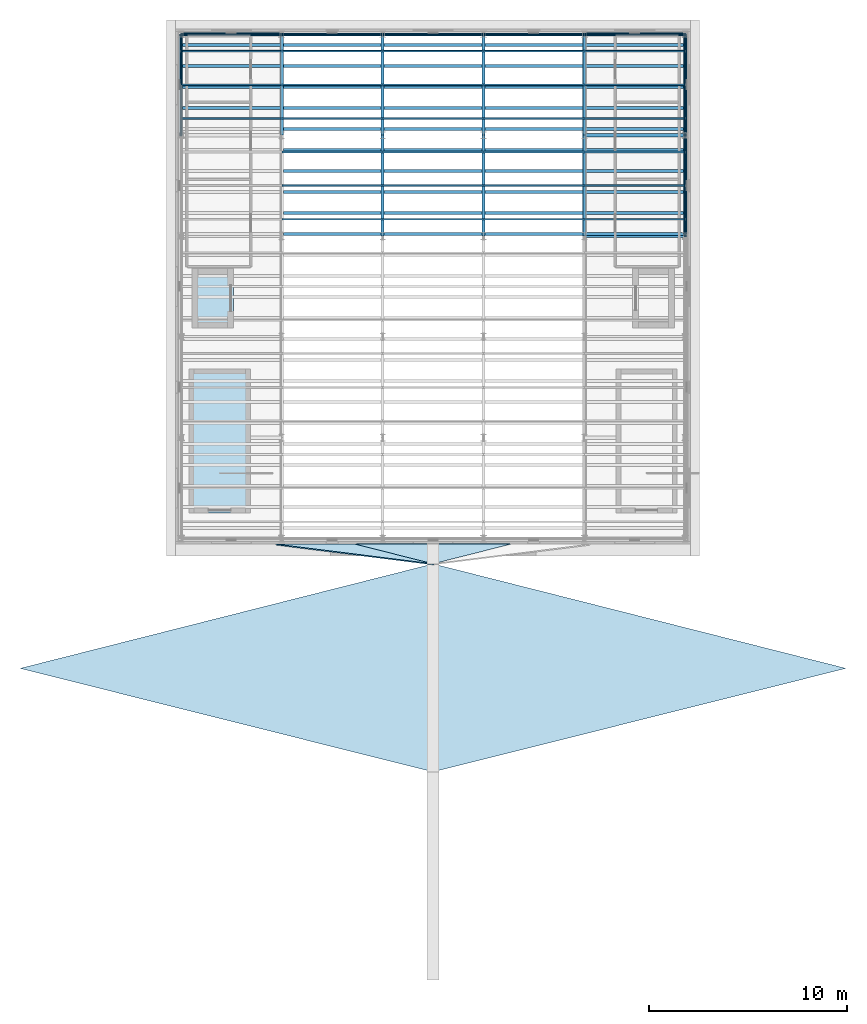
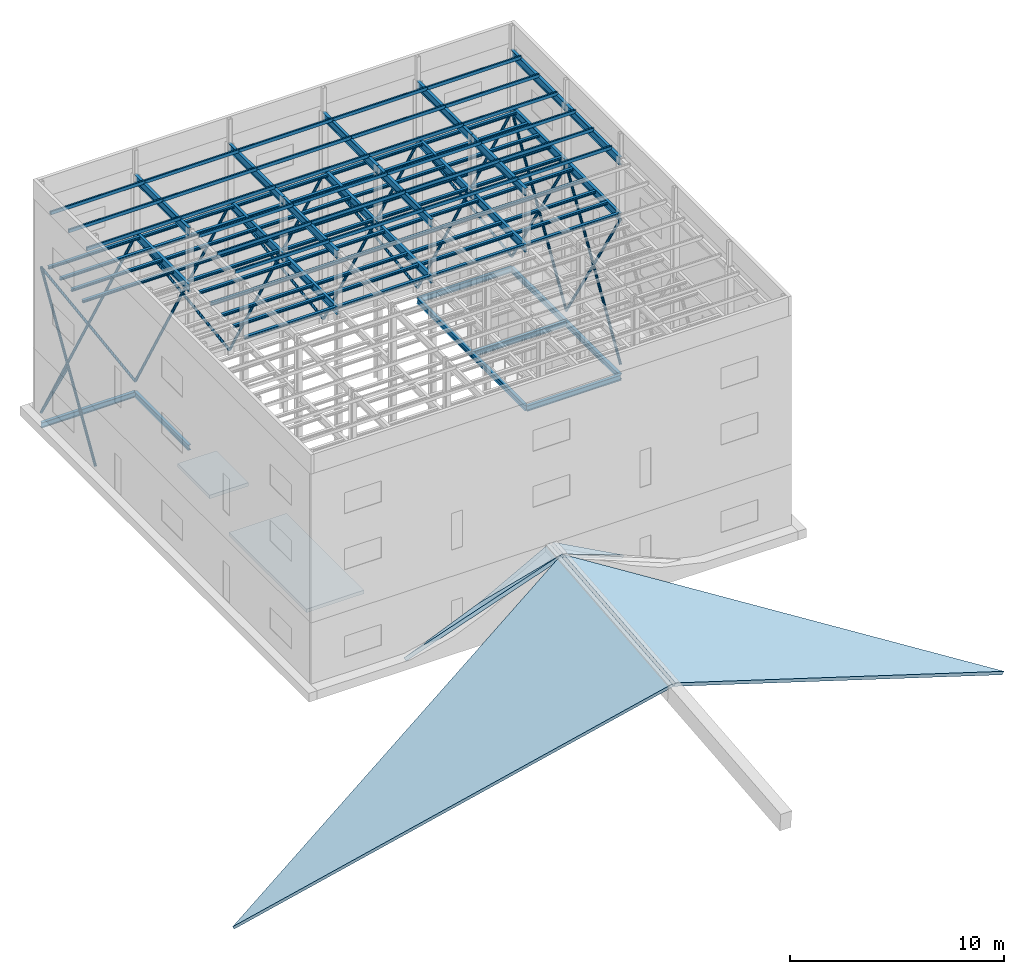
# One storey, part 5 of 22: 71 beams, 50 members, 7 slabs.
"""IFC4 building model written with IfcOpenShell, lengths in metres."""

from ifc_helpers import new_model, si_unit, direction, frame, origin, origin_2d, place, context, subcontext, project, spatial, polyline, hollow_rectangle, hollow_circle, i_section, outline, extrude, material, layer, layer_set, material_profile, profile_set, type_object, element, save


model = new_model("IFC4")

# Units and contexts
model_context = context("Model", 3, precision=1e-05, world=origin(), true_north=direction((0.0, 1.0)))
body_context = subcontext(model_context, "Body", "Model", "MODEL_VIEW")
ifc_project = project(units=[si_unit("LENGTHUNIT", "METRE"), si_unit("AREAUNIT", "SQUARE_METRE"), si_unit("VOLUMEUNIT", "CUBIC_METRE"), si_unit("PLANEANGLEUNIT", "RADIAN"), si_unit("MASSUNIT", "GRAM", prefix="KILO")], contexts=[model_context])

# Site, building, storey
site_placement = place(None, origin())
site = spatial("IfcSite", under=ifc_project, at=site_placement, CompositionType="ELEMENT")
building_placement = place(site_placement, origin())
building = spatial("IfcBuilding", under=site, at=building_placement, Name="Tide Square Theatres", CompositionType="ELEMENT")
storey_placement = place(building_placement, frame((0.0, 0.0, 24.0)))
storey = spatial("IfcBuildingStorey", under=building, at=storey_placement, Name="L05", CompositionType="ELEMENT", Elevation=24.0)

# Beams
ifc_material_1 = material(Name="Steel ASTM A572 Grade 50", Category="steel")
ifc_material_profile_1 = material_profile(ifc_material_1, i_section(OverallWidth=0.1650390625, OverallDepth=0.31005859375, WebThickness=0.005859375, FlangeThickness=0.009765625, FilletRadius=0.010009765625, at=origin_2d()))
ifc_profile_set_1 = profile_set([ifc_material_profile_1], Name="Steel ASTM A572 Grade 50")
beam_type_1 = type_object("IfcBeamType", Name="Steel beam W 310 x 38.7", PredefinedType="BEAM", material=ifc_profile_set_1)
for number, where, z_axis, x_axis, name in (
    (1, (76.365478515625, 76.634521484375, -0.35498046875), (0.0, 1.0, 0.0), (-1.0, 0.0, 0.0), "Fly gallery beam"),
    (2, (71.27587890625, 81.72412109375, -0.35498046875), (1.0, 0.0, 0.0), (0.0, 1.0, 0.0), "Fly gallery cross beam"),
    (3, (91.634521484375, 71.544921875, -0.35498046875), (0.0, 1.0, 0.0), (-1.0, 0.0, 0.0), "Fly gallery beam"),
    (4, (91.634521484375, 76.634521484375, -0.35498046875), (0.0, 1.0, 0.0), (-1.0, 0.0, 0.0), "Fly gallery beam"),
    (5, (96.72412109375, 71.544921875, -0.35498046875), (0.0, 1.0, 0.0), (-1.0, 0.0, 0.0), "Fly gallery beam"),
    (6, (96.72412109375, 76.634521484375, -0.35498046875), (0.0, 1.0, 0.0), (-1.0, 0.0, 0.0), "Fly gallery beam"),
    (7, (91.634521484375, 71.544921875, -0.35498046875), (1.0, 0.0, 0.0), (0.0, 1.0, 0.0), "Fly gallery cross beam"),
    (8, (91.634521484375, 76.634521484375, -0.35498046875), (1.0, 0.0, 0.0), (0.0, 1.0, 0.0), "Fly gallery cross beam"),
    (9, (91.634521484375, 81.72412109375, -0.35498046875), (1.0, 0.0, 0.0), (0.0, 1.0, 0.0), "Fly gallery cross beam"),
):
    element("IfcBeam", number, at=place(storey_placement, frame(where, z_axis=z_axis, x_axis=x_axis)), inside=storey, type_object=beam_type_1, Name=name, PredefinedType="BEAM", context=body_context, shape_type="SweptSolid", body=[
        extrude(i_section(OverallWidth=0.1650390625, OverallDepth=0.31005859375, WebThickness=0.005859375, FlangeThickness=0.009765625, FilletRadius=0.010009765625, at=origin_2d()), origin(), (0.0, 0.0, 1.0), 5.089599609375),
    ])
ifc_material_2 = material(Name="Steel ASTM A572 Grade 50", Category="steel")
ifc_material_profile_2 = material_profile(ifc_material_2, i_section(OverallWidth=0.152099609375, OverallDepth=0.449951171875, WebThickness=0.007568359375, FlangeThickness=0.0107421875, FilletRadius=0.011962890625, at=origin_2d()))
ifc_profile_set_2 = profile_set([ifc_material_profile_2], Name="Steel ASTM A572 Grade 50")
beam_type_2 = type_object("IfcBeamType", Name="Steel beam W 460 x 52.0", PredefinedType="BEAM", material=ifc_profile_set_2)
for number, where, z_axis, x_axis, name in (
    (10, (76.365478515625, 76.634521484375, 8.77490234375), (0.0, 1.0, 0.0), (-1.0, 0.0, 0.0), "Gridiron beam"),
    (11, (81.455078125, 71.544921875, 8.77490234375), (0.0, 1.0, 0.0), (-1.0, 0.0, 0.0), "Gridiron beam"),
    (12, (81.455078125, 76.634521484375, 8.77490234375), (0.0, 1.0, 0.0), (-1.0, 0.0, 0.0), "Gridiron beam"),
    (13, (86.544921875, 71.544921875, 8.77490234375), (0.0, 1.0, 0.0), (-1.0, 0.0, 0.0), "Gridiron beam"),
    (14, (86.544921875, 76.634521484375, 8.77490234375), (0.0, 1.0, 0.0), (-1.0, 0.0, 0.0), "Gridiron beam"),
    (15, (91.634521484375, 71.544921875, 8.77490234375), (0.0, 1.0, 0.0), (-1.0, 0.0, 0.0), "Gridiron beam"),
    (16, (91.634521484375, 76.634521484375, 8.77490234375), (0.0, 1.0, 0.0), (-1.0, 0.0, 0.0), "Gridiron beam"),
    (17, (96.72412109375, 71.544921875, 8.77490234375), (0.0, 1.0, 0.0), (-1.0, 0.0, 0.0), "Gridiron beam"),
    (18, (96.72412109375, 76.634521484375, 8.77490234375), (0.0, 1.0, 0.0), (-1.0, 0.0, 0.0), "Gridiron beam"),
    (19, (76.365478515625, 76.634521484375, 11.985107421875), (0.0, 1.0, 0.0), (-1.0, 0.0, 0.0), "Tower roof beam"),
    (20, (81.455078125, 71.544921875, 11.985107421875), (0.0, 1.0, 0.0), (-1.0, 0.0, 0.0), "Tower roof beam"),
    (21, (81.455078125, 76.634521484375, 11.985107421875), (0.0, 1.0, 0.0), (-1.0, 0.0, 0.0), "Tower roof beam"),
    (22, (86.544921875, 71.544921875, 11.985107421875), (0.0, 1.0, 0.0), (-1.0, 0.0, 0.0), "Tower roof beam"),
    (23, (86.544921875, 76.634521484375, 11.985107421875), (0.0, 1.0, 0.0), (-1.0, 0.0, 0.0), "Tower roof beam"),
    (24, (91.634521484375, 71.544921875, 11.985107421875), (0.0, 1.0, 0.0), (-1.0, 0.0, 0.0), "Tower roof beam"),
    (25, (91.634521484375, 76.634521484375, 11.985107421875), (0.0, 1.0, 0.0), (-1.0, 0.0, 0.0), "Tower roof beam"),
    (26, (96.72412109375, 71.544921875, 11.985107421875), (0.0, 1.0, 0.0), (-1.0, 0.0, 0.0), "Tower roof beam"),
    (27, (96.72412109375, 76.634521484375, 11.985107421875), (0.0, 1.0, 0.0), (-1.0, 0.0, 0.0), "Tower roof beam"),
):
    element("IfcBeam", number, at=place(storey_placement, frame(where, z_axis=z_axis, x_axis=x_axis)), inside=storey, type_object=beam_type_2, Name=name, PredefinedType="BEAM", context=body_context, shape_type="SweptSolid", body=[
        extrude(i_section(OverallWidth=0.152099609375, OverallDepth=0.449951171875, WebThickness=0.007568359375, FlangeThickness=0.0107421875, FilletRadius=0.011962890625, at=origin_2d()), origin(), (0.0, 0.0, 1.0), 5.089599609375),
    ])

# Members
ifc_material_3 = material(Name="Steel ASTM A500 Grade C", Category="steel")
ifc_material_profile_3 = material_profile(ifc_material_3, hollow_circle(Radius=0.070556640625, WallThickness=0.00634765625, at=origin_2d()))
ifc_profile_set_3 = profile_set([ifc_material_profile_3], Name="Steel ASTM A500 Grade C")
member_type_1 = type_object("IfcMemberType", Name="Steel brace CHS 141.3 x 6.4", PredefinedType="BRACE", material=ifc_profile_set_3)
member_1_placement = place(storey_placement, frame((71.27587890625, 81.72412109375, 0.35009765625), z_axis=(0.522757852617, 0.0, 0.852481218284), x_axis=(0.0, 1.0, 0.0)))
element("IfcMember", 28, at=member_1_placement, inside=storey, type_object=member_type_1, Name="Fly tower brace", PredefinedType="BRACE", context=body_context, shape_type="SweptSolid", body=[
    extrude(hollow_circle(Radius=0.070556640625, WallThickness=0.00634765625, at=origin_2d()), origin(), (0.0, 0.0, 1.0), 9.736083984375),
])
member_2_placement = place(storey_placement, frame((76.365478515625, 81.72412109375, 0.35009765625), z_axis=(-0.522724280464, 0.0, 0.852501804463), x_axis=(0.0, -1.0, 0.0)))
element("IfcMember", 29, at=member_2_placement, inside=storey, type_object=member_type_1, Name="Fly tower brace", PredefinedType="BRACE", context=body_context, shape_type="SweptSolid", body=[
    extrude(hollow_circle(Radius=0.070556640625, WallThickness=0.00634765625, at=origin_2d()), origin(), (0.0, 0.0, 1.0), 4.763916015625),
])
member_3_placement = place(storey_placement, frame((73.766357421875, 81.72412109375, 4.588623046875), z_axis=(-0.522761523551, 0.0, 0.852478967186), x_axis=(0.0, -1.0, 0.0)))
element("IfcMember", 30, at=member_3_placement, inside=storey, type_object=member_type_1, Name="Fly tower brace", PredefinedType="BRACE", context=body_context, shape_type="SweptSolid", body=[
    extrude(hollow_circle(Radius=0.070556640625, WallThickness=0.00634765625, at=origin_2d()), origin(), (0.0, 0.0, 1.0), 4.76416015625),
])
member_4_placement = place(storey_placement, frame((76.365478515625, 81.72412109375, 0.35009765625), z_axis=(0.522757852617, 0.0, 0.852481218284), x_axis=(0.0, 1.0, 0.0)))
element("IfcMember", 31, at=member_4_placement, inside=storey, type_object=member_type_1, Name="Fly tower brace", PredefinedType="BRACE", context=body_context, shape_type="SweptSolid", body=[
    extrude(hollow_circle(Radius=0.070556640625, WallThickness=0.00634765625, at=origin_2d()), origin(), (0.0, 0.0, 1.0), 9.736083984375),
])
member_5_placement = place(storey_placement, frame((81.455078125, 81.72412109375, 0.35009765625), z_axis=(-0.522724280464, 0.0, 0.852501804463), x_axis=(0.0, -1.0, 0.0)))
element("IfcMember", 32, at=member_5_placement, inside=storey, type_object=member_type_1, Name="Fly tower brace", PredefinedType="BRACE", context=body_context, shape_type="SweptSolid", body=[
    extrude(hollow_circle(Radius=0.070556640625, WallThickness=0.00634765625, at=origin_2d()), origin(), (0.0, 0.0, 1.0), 4.763916015625),
])
member_6_placement = place(storey_placement, frame((78.85595703125, 81.72412109375, 4.588623046875), z_axis=(-0.522761523551, 0.0, 0.852478967186), x_axis=(0.0, -1.0, 0.0)))
element("IfcMember", 33, at=member_6_placement, inside=storey, type_object=member_type_1, Name="Fly tower brace", PredefinedType="BRACE", context=body_context, shape_type="SweptSolid", body=[
    extrude(hollow_circle(Radius=0.070556640625, WallThickness=0.00634765625, at=origin_2d()), origin(), (0.0, 0.0, 1.0), 4.76416015625),
])
member_7_placement = place(storey_placement, frame((81.455078125, 81.72412109375, 0.35009765625), z_axis=(0.522776075542, 0.0, 0.852470043368), x_axis=(0.0, 1.0, 0.0)))
element("IfcMember", 34, at=member_7_placement, inside=storey, type_object=member_type_1, Name="Fly tower brace", PredefinedType="BRACE", context=body_context, shape_type="SweptSolid", body=[
    extrude(hollow_circle(Radius=0.070556640625, WallThickness=0.00634765625, at=origin_2d()), origin(), (0.0, 0.0, 1.0), 9.736083984375),
])
for number, where, z_axis, x_axis, name in (
    (35, (86.544921875, 81.72412109375, 0.35009765625), (-0.522761523551, 0.0, 0.852478967186), (0.0, -1.0, 0.0), "Fly tower brace"),
    (36, (83.945556640625, 81.72412109375, 4.588623046875), (-0.522761523551, 0.0, 0.852478967186), (0.0, -1.0, 0.0), "Fly tower brace"),
):
    element("IfcMember", number, at=place(storey_placement, frame(where, z_axis=z_axis, x_axis=x_axis)), inside=storey, type_object=member_type_1, Name=name, PredefinedType="BRACE", context=body_context, shape_type="SweptSolid", body=[
        extrude(hollow_circle(Radius=0.070556640625, WallThickness=0.00634765625, at=origin_2d()), origin(), (0.0, 0.0, 1.0), 4.76416015625),
    ])
member_8_placement = place(storey_placement, frame((86.544921875, 81.72412109375, 0.35009765625), z_axis=(0.522757852617, 0.0, 0.852481218284), x_axis=(0.0, 1.0, 0.0)))
element("IfcMember", 37, at=member_8_placement, inside=storey, type_object=member_type_1, Name="Fly tower brace", PredefinedType="BRACE", context=body_context, shape_type="SweptSolid", body=[
    extrude(hollow_circle(Radius=0.070556640625, WallThickness=0.00634765625, at=origin_2d()), origin(), (0.0, 0.0, 1.0), 9.736083984375),
])
member_9_placement = place(storey_placement, frame((91.634521484375, 81.72412109375, 0.35009765625), z_axis=(-0.522761523551, 0.0, 0.852478967186), x_axis=(0.0, -1.0, 0.0)))
element("IfcMember", 38, at=member_9_placement, inside=storey, type_object=member_type_1, Name="Fly tower brace", PredefinedType="BRACE", context=body_context, shape_type="SweptSolid", body=[
    extrude(hollow_circle(Radius=0.070556640625, WallThickness=0.00634765625, at=origin_2d()), origin(), (0.0, 0.0, 1.0), 4.76416015625),
])
member_10_placement = place(storey_placement, frame((89.03515625, 81.72412109375, 4.588623046875), z_axis=(-0.522724280464, 0.0, 0.852501804463), x_axis=(0.0, -1.0, 0.0)))
element("IfcMember", 39, at=member_10_placement, inside=storey, type_object=member_type_1, Name="Fly tower brace", PredefinedType="BRACE", context=body_context, shape_type="SweptSolid", body=[
    extrude(hollow_circle(Radius=0.070556640625, WallThickness=0.00634765625, at=origin_2d()), origin(), (0.0, 0.0, 1.0), 4.763916015625),
])
member_11_placement = place(storey_placement, frame((91.634521484375, 81.72412109375, 0.35009765625), z_axis=(0.522757852617, 0.0, 0.852481218284), x_axis=(0.0, 1.0, 0.0)))
element("IfcMember", 40, at=member_11_placement, inside=storey, type_object=member_type_1, Name="Fly tower brace", PredefinedType="BRACE", context=body_context, shape_type="SweptSolid", body=[
    extrude(hollow_circle(Radius=0.070556640625, WallThickness=0.00634765625, at=origin_2d()), origin(), (0.0, 0.0, 1.0), 9.736083984375),
])
member_12_placement = place(storey_placement, frame((96.72412109375, 81.72412109375, 0.35009765625), z_axis=(-0.522761523551, 0.0, 0.852478967186), x_axis=(0.0, -1.0, 0.0)))
element("IfcMember", 41, at=member_12_placement, inside=storey, type_object=member_type_1, Name="Fly tower brace", PredefinedType="BRACE", context=body_context, shape_type="SweptSolid", body=[
    extrude(hollow_circle(Radius=0.070556640625, WallThickness=0.00634765625, at=origin_2d()), origin(), (0.0, 0.0, 1.0), 4.76416015625),
])
member_13_placement = place(storey_placement, frame((94.124755859375, 81.72412109375, 4.588623046875), z_axis=(-0.522724280464, 0.0, 0.852501804463), x_axis=(0.0, -1.0, 0.0)))
element("IfcMember", 42, at=member_13_placement, inside=storey, type_object=member_type_1, Name="Fly tower brace", PredefinedType="BRACE", context=body_context, shape_type="SweptSolid", body=[
    extrude(hollow_circle(Radius=0.070556640625, WallThickness=0.00634765625, at=origin_2d()), origin(), (0.0, 0.0, 1.0), 4.763916015625),
])
member_14_placement = place(storey_placement, frame((71.27587890625, 76.634521484375, 0.35009765625), z_axis=(0.0, 0.522757852617, 0.852481218284), x_axis=(-1.0, 0.0, 0.0)))
element("IfcMember", 43, at=member_14_placement, inside=storey, type_object=member_type_1, Name="Fly tower brace", PredefinedType="BRACE", context=body_context, shape_type="SweptSolid", body=[
    extrude(hollow_circle(Radius=0.070556640625, WallThickness=0.00634765625, at=origin_2d()), origin(), (0.0, 0.0, 1.0), 9.736083984375),
])
member_15_placement = place(storey_placement, frame((71.27587890625, 81.72412109375, 0.35009765625), z_axis=(0.0, -0.522761523551, 0.852478967186), x_axis=(1.0, 0.0, 0.0)))
element("IfcMember", 44, at=member_15_placement, inside=storey, type_object=member_type_1, Name="Fly tower brace", PredefinedType="BRACE", context=body_context, shape_type="SweptSolid", body=[
    extrude(hollow_circle(Radius=0.070556640625, WallThickness=0.00634765625, at=origin_2d()), origin(), (0.0, 0.0, 1.0), 4.76416015625),
])
member_16_placement = place(storey_placement, frame((96.72412109375, 71.544921875, 0.35009765625), z_axis=(0.0, 0.522757852617, 0.852481218284), x_axis=(-1.0, 0.0, 0.0)))
element("IfcMember", 45, at=member_16_placement, inside=storey, type_object=member_type_1, Name="Fly tower brace", PredefinedType="BRACE", context=body_context, shape_type="SweptSolid", body=[
    extrude(hollow_circle(Radius=0.070556640625, WallThickness=0.00634765625, at=origin_2d()), origin(), (0.0, 0.0, 1.0), 9.736083984375),
])
member_17_placement = place(storey_placement, frame((96.72412109375, 76.634521484375, 0.35009765625), z_axis=(0.0, -0.522761523551, 0.852478967186), x_axis=(1.0, 0.0, 0.0)))
element("IfcMember", 46, at=member_17_placement, inside=storey, type_object=member_type_1, Name="Fly tower brace", PredefinedType="BRACE", context=body_context, shape_type="SweptSolid", body=[
    extrude(hollow_circle(Radius=0.070556640625, WallThickness=0.00634765625, at=origin_2d()), origin(), (0.0, 0.0, 1.0), 4.76416015625),
])
member_18_placement = place(storey_placement, frame((96.72412109375, 74.03515625, 4.588623046875), z_axis=(0.0, -0.522724280464, 0.852501804463), x_axis=(1.0, 0.0, 0.0)))
element("IfcMember", 47, at=member_18_placement, inside=storey, type_object=member_type_1, Name="Fly tower brace", PredefinedType="BRACE", context=body_context, shape_type="SweptSolid", body=[
    extrude(hollow_circle(Radius=0.070556640625, WallThickness=0.00634765625, at=origin_2d()), origin(), (0.0, 0.0, 1.0), 4.763916015625),
])
member_19_placement = place(storey_placement, frame((96.72412109375, 76.634521484375, 0.35009765625), z_axis=(0.0, 0.522757852617, 0.852481218284), x_axis=(-1.0, 0.0, 0.0)))
element("IfcMember", 48, at=member_19_placement, inside=storey, type_object=member_type_1, Name="Fly tower brace", PredefinedType="BRACE", context=body_context, shape_type="SweptSolid", body=[
    extrude(hollow_circle(Radius=0.070556640625, WallThickness=0.00634765625, at=origin_2d()), origin(), (0.0, 0.0, 1.0), 9.736083984375),
])
member_20_placement = place(storey_placement, frame((96.72412109375, 81.72412109375, 0.35009765625), z_axis=(0.0, -0.522761523551, 0.852478967186), x_axis=(1.0, 0.0, 0.0)))
element("IfcMember", 49, at=member_20_placement, inside=storey, type_object=member_type_1, Name="Fly tower brace", PredefinedType="BRACE", context=body_context, shape_type="SweptSolid", body=[
    extrude(hollow_circle(Radius=0.070556640625, WallThickness=0.00634765625, at=origin_2d()), origin(), (0.0, 0.0, 1.0), 4.76416015625),
])
member_21_placement = place(storey_placement, frame((96.72412109375, 79.124755859375, 4.588623046875), z_axis=(0.0, -0.522724280464, 0.852501804463), x_axis=(1.0, 0.0, 0.0)))
element("IfcMember", 50, at=member_21_placement, inside=storey, type_object=member_type_1, Name="Fly tower brace", PredefinedType="BRACE", context=body_context, shape_type="SweptSolid", body=[
    extrude(hollow_circle(Radius=0.070556640625, WallThickness=0.00634765625, at=origin_2d()), origin(), (0.0, 0.0, 1.0), 4.763916015625),
])

# Beams
ifc_material_4 = material(Name="Steel ASTM A572 Grade 50", Category="steel")
ifc_material_profile_4 = material_profile(ifc_material_4, i_section(OverallWidth=0.152099609375, OverallDepth=0.152099609375, WebThickness=0.005859375, FlangeThickness=0.006591796875, FilletRadius=0.010009765625, at=origin_2d()))
ifc_profile_set_4 = profile_set([ifc_material_profile_4], Name="Steel ASTM A572 Grade 50")
beam_type_3 = type_object("IfcBeamType", Name="Steel joist W 150 x 22.5", PredefinedType="JOIST", material=ifc_profile_set_4)
for number, where, z_axis, x_axis, name in (
    (51, (71.35205078125, 78.0126953125, 8.924072265625), (1.0, 0.0, 0.0), (0.0, 1.0, 0.0), "Gridiron joist"),
    (52, (71.35205078125, 79.0732421875, 8.924072265625), (1.0, 0.0, 0.0), (0.0, 1.0, 0.0), "Gridiron joist"),
    (53, (71.35205078125, 80.133544921875, 8.924072265625), (1.0, 0.0, 0.0), (0.0, 1.0, 0.0), "Gridiron joist"),
    (54, (71.35205078125, 81.19384765625, 8.924072265625), (1.0, 0.0, 0.0), (0.0, 1.0, 0.0), "Gridiron joist"),
    (55, (76.441650390625, 71.65087890625, 8.924072265625), (1.0, 0.0, 0.0), (0.0, 1.0, 0.0), "Gridiron joist"),
    (56, (76.441650390625, 72.711181640625, 8.924072265625), (1.0, 0.0, 0.0), (0.0, 1.0, 0.0), "Gridiron joist"),
    (57, (76.441650390625, 73.771484375, 8.924072265625), (1.0, 0.0, 0.0), (0.0, 1.0, 0.0), "Gridiron joist"),
    (58, (76.441650390625, 74.831787109375, 8.924072265625), (1.0, 0.0, 0.0), (0.0, 1.0, 0.0), "Gridiron joist"),
    (59, (76.441650390625, 75.89208984375, 8.924072265625), (1.0, 0.0, 0.0), (0.0, 1.0, 0.0), "Gridiron joist"),
    (60, (76.441650390625, 76.952392578125, 8.924072265625), (1.0, 0.0, 0.0), (0.0, 1.0, 0.0), "Gridiron joist"),
    (61, (76.441650390625, 78.0126953125, 8.924072265625), (1.0, 0.0, 0.0), (0.0, 1.0, 0.0), "Gridiron joist"),
    (62, (76.441650390625, 79.0732421875, 8.924072265625), (1.0, 0.0, 0.0), (0.0, 1.0, 0.0), "Gridiron joist"),
    (63, (76.441650390625, 80.133544921875, 8.924072265625), (1.0, 0.0, 0.0), (0.0, 1.0, 0.0), "Gridiron joist"),
    (64, (76.441650390625, 81.19384765625, 8.924072265625), (1.0, 0.0, 0.0), (0.0, 1.0, 0.0), "Gridiron joist"),
    (65, (81.53125, 71.65087890625, 8.924072265625), (1.0, 0.0, 0.0), (0.0, 1.0, 0.0), "Gridiron joist"),
    (66, (81.53125, 72.711181640625, 8.924072265625), (1.0, 0.0, 0.0), (0.0, 1.0, 0.0), "Gridiron joist"),
    (67, (81.53125, 73.771484375, 8.924072265625), (1.0, 0.0, 0.0), (0.0, 1.0, 0.0), "Gridiron joist"),
    (68, (81.53125, 74.831787109375, 8.924072265625), (1.0, 0.0, 0.0), (0.0, 1.0, 0.0), "Gridiron joist"),
    (69, (81.53125, 75.89208984375, 8.924072265625), (1.0, 0.0, 0.0), (0.0, 1.0, 0.0), "Gridiron joist"),
    (70, (81.53125, 76.952392578125, 8.924072265625), (1.0, 0.0, 0.0), (0.0, 1.0, 0.0), "Gridiron joist"),
    (71, (81.53125, 78.0126953125, 8.924072265625), (1.0, 0.0, 0.0), (0.0, 1.0, 0.0), "Gridiron joist"),
    (72, (81.53125, 79.0732421875, 8.924072265625), (1.0, 0.0, 0.0), (0.0, 1.0, 0.0), "Gridiron joist"),
    (73, (81.53125, 80.133544921875, 8.924072265625), (1.0, 0.0, 0.0), (0.0, 1.0, 0.0), "Gridiron joist"),
    (74, (81.53125, 81.19384765625, 8.924072265625), (1.0, 0.0, 0.0), (0.0, 1.0, 0.0), "Gridiron joist"),
    (75, (86.620849609375, 71.65087890625, 8.924072265625), (1.0, 0.0, 0.0), (0.0, 1.0, 0.0), "Gridiron joist"),
    (76, (86.620849609375, 72.711181640625, 8.924072265625), (1.0, 0.0, 0.0), (0.0, 1.0, 0.0), "Gridiron joist"),
    (77, (86.620849609375, 73.771484375, 8.924072265625), (1.0, 0.0, 0.0), (0.0, 1.0, 0.0), "Gridiron joist"),
    (78, (86.620849609375, 74.831787109375, 8.924072265625), (1.0, 0.0, 0.0), (0.0, 1.0, 0.0), "Gridiron joist"),
    (79, (86.620849609375, 75.89208984375, 8.924072265625), (1.0, 0.0, 0.0), (0.0, 1.0, 0.0), "Gridiron joist"),
    (80, (86.620849609375, 76.952392578125, 8.924072265625), (1.0, 0.0, 0.0), (0.0, 1.0, 0.0), "Gridiron joist"),
    (81, (86.620849609375, 78.0126953125, 8.924072265625), (1.0, 0.0, 0.0), (0.0, 1.0, 0.0), "Gridiron joist"),
    (82, (86.620849609375, 79.0732421875, 8.924072265625), (1.0, 0.0, 0.0), (0.0, 1.0, 0.0), "Gridiron joist"),
    (83, (86.620849609375, 80.133544921875, 8.924072265625), (1.0, 0.0, 0.0), (0.0, 1.0, 0.0), "Gridiron joist"),
    (84, (86.620849609375, 81.19384765625, 8.924072265625), (1.0, 0.0, 0.0), (0.0, 1.0, 0.0), "Gridiron joist"),
    (85, (91.71044921875, 71.65087890625, 8.924072265625), (1.0, 0.0, 0.0), (0.0, 1.0, 0.0), "Gridiron joist"),
    (86, (91.71044921875, 72.711181640625, 8.924072265625), (1.0, 0.0, 0.0), (0.0, 1.0, 0.0), "Gridiron joist"),
    (87, (91.71044921875, 73.771484375, 8.924072265625), (1.0, 0.0, 0.0), (0.0, 1.0, 0.0), "Gridiron joist"),
    (88, (91.71044921875, 74.831787109375, 8.924072265625), (1.0, 0.0, 0.0), (0.0, 1.0, 0.0), "Gridiron joist"),
    (89, (91.71044921875, 75.89208984375, 8.924072265625), (1.0, 0.0, 0.0), (0.0, 1.0, 0.0), "Gridiron joist"),
    (90, (91.71044921875, 76.952392578125, 8.924072265625), (1.0, 0.0, 0.0), (0.0, 1.0, 0.0), "Gridiron joist"),
    (91, (91.71044921875, 78.0126953125, 8.924072265625), (1.0, 0.0, 0.0), (0.0, 1.0, 0.0), "Gridiron joist"),
    (92, (91.71044921875, 79.0732421875, 8.924072265625), (1.0, 0.0, 0.0), (0.0, 1.0, 0.0), "Gridiron joist"),
    (93, (91.71044921875, 80.133544921875, 8.924072265625), (1.0, 0.0, 0.0), (0.0, 1.0, 0.0), "Gridiron joist"),
    (94, (91.71044921875, 81.19384765625, 8.924072265625), (1.0, 0.0, 0.0), (0.0, 1.0, 0.0), "Gridiron joist"),
):
    element("IfcBeam", number, at=place(storey_placement, frame(where, z_axis=z_axis, x_axis=x_axis)), inside=storey, type_object=beam_type_3, Name=name, PredefinedType="JOIST", context=body_context, shape_type="SweptSolid", body=[
        extrude(i_section(OverallWidth=0.152099609375, OverallDepth=0.152099609375, WebThickness=0.005859375, FlangeThickness=0.006591796875, FilletRadius=0.010009765625, at=origin_2d()), origin(), (0.0, 0.0, 1.0), 4.9375),
    ])

# Members
ifc_material_5 = material(Name="Steel ASTM A500 Grade C", Category="steel")
ifc_material_profile_5 = material_profile(ifc_material_5, hollow_rectangle(XDim=0.10009765625, YDim=0.199951171875, WallThickness=0.008056640625, InnerFilletRadius=0.008056640625, OuterFilletRadius=0.01611328125, at=origin_2d()))
ifc_profile_set_5 = profile_set([ifc_material_profile_5], Name="Steel ASTM A500 Grade C")
member_type_2 = type_object("IfcMemberType", Name="Steel purlin RHS 200 x 100 x 8.0", PredefinedType="PURLIN", material=ifc_profile_set_5)
for number, where, z_axis, x_axis, name in (
    (95, (71.27587890625, 77.482666015625, 12.260009765625), (1.0, 0.0, 0.0), (0.0, 1.0, 0.0), "Tower roof purlin"),
    (96, (71.27587890625, 79.17919921875, 12.260009765625), (1.0, 0.0, 0.0), (0.0, 1.0, 0.0), "Tower roof purlin"),
    (97, (71.27587890625, 80.875732421875, 12.260009765625), (1.0, 0.0, 0.0), (0.0, 1.0, 0.0), "Tower roof purlin"),
    (98, (76.365478515625, 72.39306640625, 12.260009765625), (1.0, 0.0, 0.0), (0.0, 1.0, 0.0), "Tower roof purlin"),
    (99, (76.365478515625, 74.089599609375, 12.260009765625), (1.0, 0.0, 0.0), (0.0, 1.0, 0.0), "Tower roof purlin"),
    (100, (76.365478515625, 75.7861328125, 12.260009765625), (1.0, 0.0, 0.0), (0.0, 1.0, 0.0), "Tower roof purlin"),
    (101, (76.365478515625, 77.482666015625, 12.260009765625), (1.0, 0.0, 0.0), (0.0, 1.0, 0.0), "Tower roof purlin"),
    (102, (76.365478515625, 79.17919921875, 12.260009765625), (1.0, 0.0, 0.0), (0.0, 1.0, 0.0), "Tower roof purlin"),
    (103, (76.365478515625, 80.875732421875, 12.260009765625), (1.0, 0.0, 0.0), (0.0, 1.0, 0.0), "Tower roof purlin"),
):
    element("IfcMember", number, at=place(storey_placement, frame(where, z_axis=z_axis, x_axis=x_axis)), inside=storey, type_object=member_type_2, Name=name, PredefinedType="PURLIN", context=body_context, shape_type="SweptSolid", body=[
        extrude(hollow_rectangle(XDim=0.10009765625, YDim=0.199951171875, WallThickness=0.008056640625, InnerFilletRadius=0.008056640625, OuterFilletRadius=0.01611328125, at=origin_2d()), origin(), (0.0, 0.0, 1.0), 5.089599609375),
    ])
for number, where, z_axis, x_axis, name in (
    (104, (81.455078125, 72.39306640625, 12.260009765625), (1.0, 0.0, 0.0), (0.0, 1.0, 0.0), "Tower roof purlin"),
    (105, (81.455078125, 74.089599609375, 12.260009765625), (1.0, 0.0, 0.0), (0.0, 1.0, 0.0), "Tower roof purlin"),
    (106, (81.455078125, 75.7861328125, 12.260009765625), (1.0, 0.0, 0.0), (0.0, 1.0, 0.0), "Tower roof purlin"),
    (107, (81.455078125, 77.482666015625, 12.260009765625), (1.0, 0.0, 0.0), (0.0, 1.0, 0.0), "Tower roof purlin"),
    (108, (81.455078125, 79.17919921875, 12.260009765625), (1.0, 0.0, 0.0), (0.0, 1.0, 0.0), "Tower roof purlin"),
    (109, (81.455078125, 80.875732421875, 12.260009765625), (1.0, 0.0, 0.0), (0.0, 1.0, 0.0), "Tower roof purlin"),
):
    element("IfcMember", number, at=place(storey_placement, frame(where, z_axis=z_axis, x_axis=x_axis)), inside=storey, type_object=member_type_2, Name=name, PredefinedType="PURLIN", context=body_context, shape_type="SweptSolid", body=[
        extrude(hollow_rectangle(XDim=0.10009765625, YDim=0.199951171875, WallThickness=0.008056640625, InnerFilletRadius=0.008056640625, OuterFilletRadius=0.01611328125, at=origin_2d()), origin(), (0.0, 0.0, 1.0), 5.08984375),
    ])
for number, where, z_axis, x_axis, name in (
    (110, (86.544921875, 72.39306640625, 12.260009765625), (1.0, 0.0, 0.0), (0.0, 1.0, 0.0), "Tower roof purlin"),
    (111, (86.544921875, 74.089599609375, 12.260009765625), (1.0, 0.0, 0.0), (0.0, 1.0, 0.0), "Tower roof purlin"),
    (112, (86.544921875, 75.7861328125, 12.260009765625), (1.0, 0.0, 0.0), (0.0, 1.0, 0.0), "Tower roof purlin"),
    (113, (86.544921875, 77.482666015625, 12.260009765625), (1.0, 0.0, 0.0), (0.0, 1.0, 0.0), "Tower roof purlin"),
    (114, (86.544921875, 79.17919921875, 12.260009765625), (1.0, 0.0, 0.0), (0.0, 1.0, 0.0), "Tower roof purlin"),
    (115, (86.544921875, 80.875732421875, 12.260009765625), (1.0, 0.0, 0.0), (0.0, 1.0, 0.0), "Tower roof purlin"),
    (116, (91.634521484375, 72.39306640625, 12.260009765625), (1.0, 0.0, 0.0), (0.0, 1.0, 0.0), "Tower roof purlin"),
    (117, (91.634521484375, 74.089599609375, 12.260009765625), (1.0, 0.0, 0.0), (0.0, 1.0, 0.0), "Tower roof purlin"),
    (118, (91.634521484375, 75.7861328125, 12.260009765625), (1.0, 0.0, 0.0), (0.0, 1.0, 0.0), "Tower roof purlin"),
    (119, (91.634521484375, 77.482666015625, 12.260009765625), (1.0, 0.0, 0.0), (0.0, 1.0, 0.0), "Tower roof purlin"),
    (120, (91.634521484375, 79.17919921875, 12.260009765625), (1.0, 0.0, 0.0), (0.0, 1.0, 0.0), "Tower roof purlin"),
    (121, (91.634521484375, 80.875732421875, 12.260009765625), (1.0, 0.0, 0.0), (0.0, 1.0, 0.0), "Tower roof purlin"),
):
    element("IfcMember", number, at=place(storey_placement, frame(where, z_axis=z_axis, x_axis=x_axis)), inside=storey, type_object=member_type_2, Name=name, PredefinedType="PURLIN", context=body_context, shape_type="SweptSolid", body=[
        extrude(hollow_rectangle(XDim=0.10009765625, YDim=0.199951171875, WallThickness=0.008056640625, InnerFilletRadius=0.008056640625, OuterFilletRadius=0.01611328125, at=origin_2d()), origin(), (0.0, 0.0, 1.0), 5.089599609375),
    ])

# Slabs
ifc_material_6 = material(Name="Concrete C40", Category="concrete")
ifc_layer = layer(ifc_material_6, 0.199951171875)
ifc_layer_set = layer_set([ifc_layer], Name="Concrete C40")
slab_type = type_object("IfcSlabType", Name="RC roof slab 200", PredefinedType="ROOF", material=ifc_layer_set)
slab_1_placement = place(storey_placement, frame((104.850341796875, 49.722900390625, -6.800048828125), z_axis=(0.441258800872, -0.084870115595, 0.893357562307), x_axis=(-0.866342204334, 0.219267938029, 0.448745759134)))
element("IfcSlab", 122, at=slab_1_placement, inside=storey, type_object=slab_type, Name="Roof plate main-P014", PredefinedType="ROOF", context=body_context, shape_type="SweptSolid", body=[
    extrude(outline(polyline([(0.0, 0.0), (23.960010554167248, -2.7755575615628914e-16), (21.221384688040395, 10.140571230172794), (0.0, 0.0)])), origin(), (0.0, 0.0, -1.0), 0.199951171875),
])
slab_2_placement = place(storey_placement, frame((87.950927734375, 56.0, 1.95361328125), z_axis=(0.474848422135, -0.083376284711, 0.876109223296), x_axis=(-0.879170375076, 0.0, 0.476507556697)))
element("IfcSlab", 123, at=slab_2_placement, inside=storey, type_object=slab_type, Name="Roof plate main-P021", PredefinedType="ROOF", context=body_context, shape_type="SweptSolid", body=[
    extrude(outline(polyline([(0.0, 0.0), (4.380627997211351, -5.551115123125783e-17), (4.336420753181837, 0.9782596829100665), (0.0, 0.0)])), origin(), (0.0, 0.0, -1.0), 0.199951171875),
])
slab_3_placement = place(storey_placement, frame((63.149658203125, 49.722900390625, -6.800048828125), z_axis=(-0.441258800872, -0.084870115595, 0.893357562307), x_axis=(0.882559285119, -0.221223709872, 0.414908638668)))
element("IfcSlab", 124, at=slab_3_placement, inside=storey, type_object=slab_type, Name="Roof plate main-P044", PredefinedType="ROOF", context=body_context, shape_type="SweptSolid", body=[
    extrude(outline(polyline([(0.0, 0.0), (23.519743896394864, 1.1102230246251565e-15), (21.618628303917426, 10.33039282955234), (0.0, 0.0)])), origin(), (0.0, 0.0, -1.0), 0.199951171875),
])
slab_4_placement = place(storey_placement, frame((80.049072265625, 56.0, 1.95361328125), z_axis=(-0.368924117666, 0.324645219047, 0.870919328729), x_axis=(-0.920793302325, 0.0, -0.390050886928)))
element("IfcSlab", 125, at=slab_4_placement, inside=storey, type_object=slab_type, Name="Roof plate main-P047", PredefinedType="ROOF", context=body_context, shape_type="SweptSolid", body=[
    extrude(outline(polyline([(0.0, 0.0), (4.360784172990127, 0.0), (-4.436182750428804, 1.05726589358018), (0.0, 0.0)])), origin(), (0.0, 0.0, -1.0), 0.199951171875),
])
slab_5_placement = place(storey_placement, frame((83.900390625, 56.0, 4.041015625), z_axis=(-0.474848422135, -0.083376284711, 0.876109223296), x_axis=(-0.879170375076, 0.0, -0.476507556697)))
element("IfcSlab", 126, at=slab_5_placement, inside=storey, type_object=slab_type, Name="Roof plate main-P051", PredefinedType="ROOF", context=body_context, shape_type="SweptSolid", body=[
    extrude(outline(polyline([(0.0, 0.0), (4.380627997211351, 5.551115123125783e-17), (0.04420724402951417, 0.9782596829100665), (0.0, 0.0)])), origin(), (0.0, 0.0, -1.0), 0.199951171875),
])
slab_6_placement = place(storey_placement, frame((0.0, 0.0, 3.39990234375)))
element("IfcSlab", 127, at=slab_6_placement, inside=storey, type_object=slab_type, Name="Fly Tower stair 11 head cover", PredefinedType="ROOF", context=body_context, shape_type="SweptSolid", body=[
    extrude(outline(polyline([(74.77587890625, 57.575927734375), (74.77587890625, 64.825927734375), (71.676025390625, 64.825927734375), (71.676025390625, 57.575927734375), (74.77587890625, 57.575927734375)])), origin(), (0.0, 0.0, 1.0), 0.2001953125),
])
slab_7_placement = place(storey_placement, frame((0.0, 0.0, 4.199951171875)))
element("IfcSlab", 128, at=slab_7_placement, inside=storey, type_object=slab_type, Name="Fly Tower lift 11 overrun cover", PredefinedType="ROOF", context=body_context, shape_type="SweptSolid", body=[
    extrude(outline(polyline([(71.825927734375, 66.89990234375), (73.926025390625, 66.89990234375), (73.926025390625, 69.89990234375), (71.825927734375, 69.89990234375), (71.825927734375, 66.89990234375)])), origin(), (0.0, 0.0, 1.0), 0.199951171875),
])

save(model, "model.ifc")
